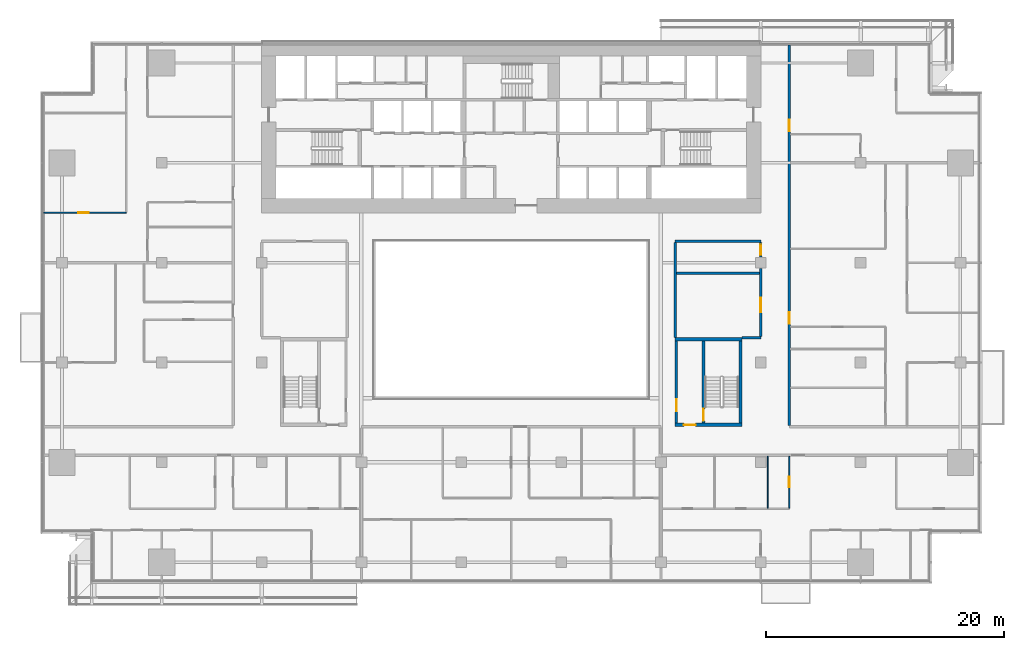
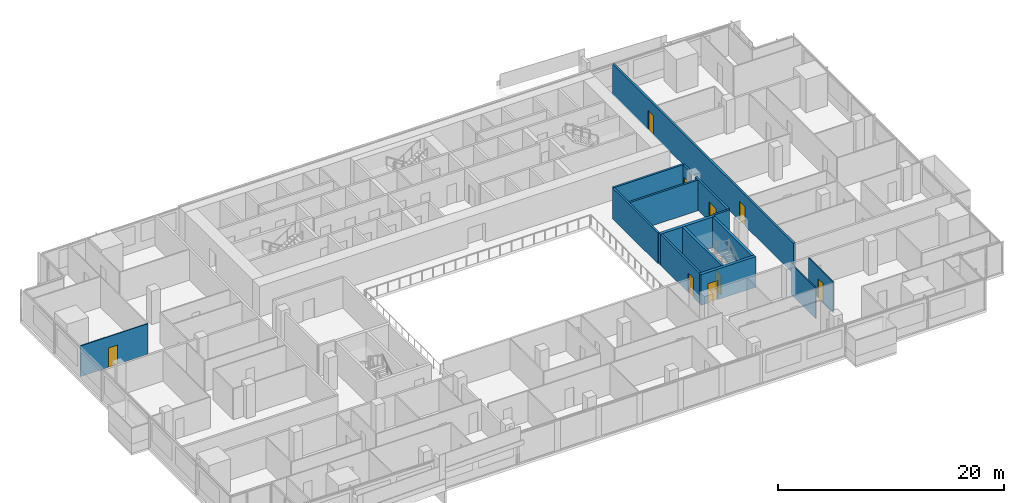
# One storey, part 19 of 29: 15 walls, 9 doors, 9 openings.
"""IFC4 building model written with IfcOpenShell, lengths in metres."""

from ifc_helpers import new_model, si_unit, direction, frame, frame_2d, origin, place, context, subcontext, project, spatial, rectangle, extrude, material, layer, layer_set, type_object, element, fill, save


model = new_model("IFC4")

# Units and contexts
model_context = context("Model", 3, precision=1e-05, world=origin(), true_north=direction((0.0, 1.0)))
body_context = subcontext(model_context, "Body", "Model", "MODEL_VIEW")
ifc_project = project(units=[si_unit("LENGTHUNIT", "METRE"), si_unit("AREAUNIT", "SQUARE_METRE"), si_unit("VOLUMEUNIT", "CUBIC_METRE"), si_unit("PLANEANGLEUNIT", "RADIAN"), si_unit("MASSUNIT", "GRAM", prefix="KILO")], contexts=[model_context])

# Site, building, storey
site_placement = place(None, origin())
site = spatial("IfcSite", under=ifc_project, at=site_placement, CompositionType="ELEMENT")
building_placement = place(site_placement, origin())
building = spatial("IfcBuilding", under=site, at=building_placement, Name="Saffron Gate Tower", CompositionType="ELEMENT")
storey_placement = place(building_placement, frame((0.0, 0.0, 58.800048828125)))
storey = spatial("IfcBuildingStorey", under=building, at=storey_placement, Name="L13", CompositionType="ELEMENT", Elevation=58.800048828125)

# Wall, opening, door
ifc_material_1 = material(Name="Gypsum board partition on steel studs", Category="steel")
ifc_layer_1 = layer(ifc_material_1, 0.199951171875)
ifc_layer_set_1 = layer_set([ifc_layer_1], Name="CW10 Core partition 200")
wall_type_1 = type_object("IfcWallType", Name="CW10 Core partition 200", PredefinedType="PARTITIONING", material=ifc_layer_set_1)
wall_1_placement = place(storey_placement, frame((101.5, 43.5, 0.0), z_axis=(0.0, 0.0, 1.0), x_axis=(0.0, 1.0, 0.0)))
wall_1 = element("IfcWall", 1, at=wall_1_placement, inside=storey, type_object=wall_type_1, Name="Wall CW10-L13-E-2", PredefinedType="PARTITIONING", context=body_context, shape_type="SweptSolid", body=[
    extrude(rectangle(XDim=6.89990234375, YDim=0.199951171875, at=frame_2d((3.449951171875, 0.0))), origin(), (0.0, 0.0, 1.0), 3.320068359375),
])
opening_1_placement = place(wall_1_placement, frame((1.0, 0.0, 0.0)))
opening_1 = element("IfcOpeningElement", 2, at=opening_1_placement, cuts=wall_1, Name="Opening CR-22", PredefinedType="OPENING", context=body_context, shape_type="SweptSolid", body=[
    extrude(rectangle(XDim=1.0, YDim=2.10009765625, at=frame_2d((0.5, 1.050048828125))), frame((0.0, 0.10986328125, 0.0), z_axis=(0.0, -1.0, 0.0), x_axis=(1.0, 0.0, 0.0)), (0.0, 0.0, 1.0), 0.219970703125),
])
ifc_material_2 = material(Name="Steel fire door set", Category="steel")
door_type_1 = type_object("IfcDoorType", Name="CD4 Lobby door 1000x2100 EI 120", OperationType="NOTDEFINED", PredefinedType="DOOR", material=ifc_material_2)
door_1_placement = place(opening_1_placement, origin())
door_1 = element("IfcDoor", 3, at=door_1_placement, inside=storey, type_object=door_type_1, Name="DOOR CR-22", OperationType="SINGLE_SWING_LEFT", OverallHeight=2.10009765625, OverallWidth=1.0, PredefinedType="DOOR", context=body_context, shape_type="SweptSolid", body=[
    extrude(rectangle(XDim=1.0, YDim=2.10009765625, at=frame_2d((0.5, 1.050048828125))), frame((0.0, 0.02490234375, 0.0), z_axis=(0.0, -1.0, 0.0), x_axis=(1.0, 0.0, 0.0)), (0.0, 0.0, 1.0), 0.050048828125),
])
fill(opening_1, door_1)

ifc_material_3 = material(Name="Concrete C70", Category="concrete")
ifc_layer_2 = layer(ifc_material_3, 0.25)
ifc_layer_set_2 = layer_set([ifc_layer_2], Name="CW2 RC core wall 250 C70")
wall_type_2 = type_object("IfcWallType", Name="CW2 RC core wall 250 C70", PredefinedType="SOLIDWALL", material=ifc_layer_set_2)
wall_2_placement = place(storey_placement, frame((103.77490234375, 43.5, 0.0), z_axis=(0.0, 0.0, 1.0), x_axis=(0.0, 1.0, 0.0)))
wall_2 = element("IfcWall", 4, at=wall_2_placement, inside=storey, type_object=wall_type_2, Name="Wall CW2-L13-E-3", PredefinedType="SOLIDWALL", context=body_context, shape_type="SweptSolid", body=[
    extrude(rectangle(XDim=6.89990234375, YDim=0.25, at=frame_2d((3.449951171875, 0.0))), origin(), (0.0, 0.0, 1.0), 3.320068359375),
])
opening_2_placement = place(wall_2_placement, frame((0.199951171875, 0.0, 0.0)))
opening_2 = element("IfcOpeningElement", 5, at=opening_2_placement, cuts=wall_2, Name="Opening CR-23", PredefinedType="OPENING", context=body_context, shape_type="SweptSolid", body=[
    extrude(rectangle(XDim=1.0, YDim=2.10009765625, at=frame_2d((0.5, 1.050048828125))), frame((0.0, 0.135009765625, 0.0), z_axis=(0.0, -1.0, 0.0), x_axis=(1.0, 0.0, 0.0)), (0.0, 0.0, 1.0), 0.27001953125),
])
door_type_2 = type_object("IfcDoorType", Name="CD5 Stair door 1000x2100 EI 120", OperationType="NOTDEFINED", PredefinedType="DOOR", material=ifc_material_2)
door_2_placement = place(opening_2_placement, origin())
door_2 = element("IfcDoor", 6, at=door_2_placement, inside=storey, type_object=door_type_2, Name="DOOR CR-23", OperationType="SINGLE_SWING_RIGHT", OverallHeight=2.10009765625, OverallWidth=1.0, PredefinedType="DOOR", context=body_context, shape_type="SweptSolid", body=[
    extrude(rectangle(XDim=1.0, YDim=2.10009765625, at=frame_2d((0.5, 1.050048828125))), frame((0.0, 0.02490234375, 0.0), z_axis=(0.0, -1.0, 0.0), x_axis=(1.0, 0.0, 0.0)), (0.0, 0.0, 1.0), 0.050048828125),
])
fill(opening_2, door_2)

# Wall
wall_3_placement = place(storey_placement, frame((106.875, 43.5, 0.0), z_axis=(0.0, 0.0, 1.0), x_axis=(0.0, 1.0, 0.0)))
element("IfcWall", 7, at=wall_3_placement, inside=storey, type_object=wall_type_2, Name="Wall CW2-L13-E-4", PredefinedType="SOLIDWALL", context=body_context, shape_type="SweptSolid", body=[
    extrude(rectangle(XDim=6.89990234375, YDim=0.25, at=frame_2d((3.449951171875, 0.0))), origin(), (0.0, 0.0, 1.0), 3.320068359375),
])

# Wall, opening, door
ifc_layer_3 = layer(ifc_material_3, 0.300048828125)
ifc_layer_set_3 = layer_set([ifc_layer_3], Name="CW5 RC core wall 300 C70")
wall_type_3 = type_object("IfcWallType", Name="CW5 RC core wall 300 C70", PredefinedType="SOLIDWALL", material=ifc_layer_set_3)
wall_4_placement = place(storey_placement, frame((101.39990234375, 43.35009765625, 0.0), z_axis=(0.0, 0.0, 1.0), x_axis=(1.0, 0.0, 0.0)))
wall_4 = element("IfcWall", 8, at=wall_4_placement, inside=storey, type_object=wall_type_3, Name="Wall CW5-L13-E-1", PredefinedType="SOLIDWALL", context=body_context, shape_type="SweptSolid", body=[
    extrude(rectangle(XDim=5.60009765625, YDim=0.300048828125, at=frame_2d((2.800048828125, 0.0))), origin(), (0.0, 0.0, 1.0), 3.320068359375),
])
opening_3_placement = place(wall_4_placement, frame((0.72509765625, 0.0, 0.0)))
opening_3 = element("IfcOpeningElement", 9, at=opening_3_placement, cuts=wall_4, Name="Opening CR-21", PredefinedType="OPENING", context=body_context, shape_type="SweptSolid", body=[
    extrude(rectangle(XDim=1.0, YDim=2.10009765625, at=frame_2d((0.5, 1.050048828125))), frame((0.0, 0.16015625, 0.0), z_axis=(0.0, -1.0, 0.0), x_axis=(1.0, 0.0, 0.0)), (0.0, 0.0, 1.0), 0.320068359375),
])
door_3_placement = place(opening_3_placement, origin())
door_3 = element("IfcDoor", 10, at=door_3_placement, inside=storey, type_object=door_type_1, Name="DOOR CR-21", OperationType="SINGLE_SWING_RIGHT", OverallHeight=2.10009765625, OverallWidth=1.0, PredefinedType="DOOR", context=body_context, shape_type="SweptSolid", body=[
    extrude(rectangle(XDim=1.0, YDim=2.10009765625, at=frame_2d((0.5, 1.050048828125))), frame((0.0, 0.02490234375, 0.0), z_axis=(0.0, -1.0, 0.0), x_axis=(1.0, 0.0, 0.0)), (0.0, 0.0, 1.0), 0.050048828125),
])
fill(opening_3, door_3)

# Wall
wall_5_placement = place(storey_placement, frame((101.39990234375, 50.550048828125, 0.0), z_axis=(0.0, 0.0, 1.0), x_axis=(1.0, 0.0, 0.0)))
element("IfcWall", 11, at=wall_5_placement, inside=storey, type_object=wall_type_3, Name="Wall CW5-L13-E-5", PredefinedType="SOLIDWALL", context=body_context, shape_type="SweptSolid", body=[
    extrude(rectangle(XDim=5.60009765625, YDim=0.300048828125, at=frame_2d((2.800048828125, 0.0))), origin(), (0.0, 0.0, 1.0), 3.320068359375),
])

# Wall, opening, door
ifc_material_4 = material(Name="Plasterboard on steel studs", Category="steel")
ifc_layer_4 = layer(ifc_material_4, 0.10009765625)
ifc_layer_set_4 = layer_set([ifc_layer_4], Name="PW1 Partition 100")
wall_type_4 = type_object("IfcWallType", Name="PW1 Partition 100", PredefinedType="PARTITIONING", material=ifc_layer_set_4)
wall_6_placement = place(storey_placement, frame((48.280029296875, 61.199951171875, 0.0), z_axis=(0.0, 0.0, 1.0), x_axis=(1.0, 0.0, 0.0)))
wall_6 = element("IfcWall", 12, at=wall_6_placement, inside=storey, type_object=wall_type_4, Name="Partition A3-42", PredefinedType="PARTITIONING", context=body_context, shape_type="SweptSolid", body=[
    extrude(rectangle(XDim=6.919921875, YDim=0.10009765625, at=frame_2d((3.4599609375, 0.0))), origin(), (0.0, 0.0, 1.0), 3.320068359375),
])
opening_4_placement = place(wall_6_placement, frame((2.8701171875, 0.0, 0.0)))
opening_4 = element("IfcOpeningElement", 13, at=opening_4_placement, cuts=wall_6, Name="Opening A3-27", PredefinedType="OPENING", context=body_context, shape_type="SweptSolid", body=[
    extrude(rectangle(XDim=0.89990234375, YDim=2.10009765625, at=frame_2d((0.449951171875, 1.050048828125))), frame((0.0, 0.06005859375, 0.0), z_axis=(0.0, -1.0, 0.0), x_axis=(1.0, 0.0, 0.0)), (0.0, 0.0, 1.0), 0.1201171875),
])
ifc_material_5 = material(Name="Timber door set", Category="wood")
door_type_3 = type_object("IfcDoorType", Name="RD1 Room door 900x2100", OperationType="NOTDEFINED", PredefinedType="DOOR", material=ifc_material_5)
door_4_placement = place(opening_4_placement, origin())
door_4 = element("IfcDoor", 14, at=door_4_placement, inside=storey, type_object=door_type_3, Name="Door A3-27", OperationType="SINGLE_SWING_LEFT", OverallHeight=2.10009765625, OverallWidth=0.89990234375, PredefinedType="DOOR", context=body_context, shape_type="SweptSolid", body=[
    extrude(rectangle(XDim=0.89990234375, YDim=2.10009765625, at=frame_2d((0.449951171875, 1.050048828125))), frame((0.0, 0.02490234375, 0.0), z_axis=(0.0, -1.0, 0.0), x_axis=(1.0, 0.0, 0.0)), (0.0, 0.0, 1.0), 0.050048828125),
])
fill(opening_4, door_4)

# Wall
wall_7_placement = place(storey_placement, frame((109.199951171875, 40.699951171875, 0.0), z_axis=(0.0, 0.0, 1.0), x_axis=(0.0, -1.0, 0.0)))
element("IfcWall", 15, at=wall_7_placement, inside=storey, type_object=wall_type_4, Name="Partition A3-91", PredefinedType="PARTITIONING", context=body_context, shape_type="SweptSolid", body=[
    extrude(rectangle(XDim=4.349853515625, YDim=0.10009765625, at=frame_2d((2.1748046875, 0.0))), origin(), (0.0, 0.0, 1.0), 3.320068359375),
])

# Wall, opening, door
wall_8_placement = place(storey_placement, frame((111.0, 36.35009765625, 0.0), z_axis=(0.0, 0.0, 1.0), x_axis=(0.0, 1.0, 0.0)))
wall_8 = element("IfcWall", 16, at=wall_8_placement, inside=storey, type_object=wall_type_4, Name="Partition A3-93", PredefinedType="PARTITIONING", context=body_context, shape_type="SweptSolid", body=[
    extrude(rectangle(XDim=4.349853515625, YDim=0.10009765625, at=frame_2d((2.1748046875, 0.0))), origin(), (0.0, 0.0, 1.0), 3.320068359375),
])
opening_5_placement = place(wall_8_placement, frame((1.75, 0.0, 0.0)))
opening_5 = element("IfcOpeningElement", 17, at=opening_5_placement, cuts=wall_8, Name="Opening A3-24", PredefinedType="OPENING", context=body_context, shape_type="SweptSolid", body=[
    extrude(rectangle(XDim=0.89990234375, YDim=2.10009765625, at=frame_2d((0.449951171875, 1.050048828125))), frame((0.0, 0.06005859375, 0.0), z_axis=(0.0, -1.0, 0.0), x_axis=(1.0, 0.0, 0.0)), (0.0, 0.0, 1.0), 0.1201171875),
])
door_5_placement = place(opening_5_placement, origin())
door_5 = element("IfcDoor", 18, at=door_5_placement, inside=storey, type_object=door_type_3, Name="Door A3-24", OperationType="SINGLE_SWING_RIGHT", OverallHeight=2.10009765625, OverallWidth=0.89990234375, PredefinedType="DOOR", context=body_context, shape_type="SweptSolid", body=[
    extrude(rectangle(XDim=0.89990234375, YDim=2.10009765625, at=frame_2d((0.449951171875, 1.050048828125))), frame((0.0, 0.02490234375, 0.0), z_axis=(0.0, -1.0, 0.0), x_axis=(1.0, 0.0, 0.0)), (0.0, 0.0, 1.0), 0.050048828125),
])
fill(opening_5, door_5)

# Walls
ifc_material_6 = material(Name="Clay brick masonry, rendered", Category="masonry")
ifc_layer_5 = layer(ifc_material_6, 0.199951171875)
ifc_layer_set_5 = layer_set([ifc_layer_5], Name="PW3 Corridor wall 200")
wall_type_5 = type_object("IfcWallType", Name="PW3 Corridor wall 200", PredefinedType="PARTITIONING", material=ifc_layer_set_5)
wall_9_placement = place(storey_placement, frame((107.0, 50.699951171875, 0.0), z_axis=(0.0, 0.0, 1.0), x_axis=(1.0, 0.0, 0.0)))
element("IfcWall", 19, at=wall_9_placement, inside=storey, type_object=wall_type_5, Name="Wall A3-27", PredefinedType="PARTITIONING", context=body_context, shape_type="SweptSolid", body=[
    extrude(rectangle(XDim=1.60009765625, YDim=0.199951171875, at=frame_2d((0.800048828125, 0.0))), origin(), (0.0, 0.0, 1.0), 3.320068359375),
])
wall_10_placement = place(storey_placement, frame((101.39990234375, 58.800048828125, 0.0), z_axis=(0.0, 0.0, 1.0), x_axis=(1.0, 0.0, 0.0)))
element("IfcWall", 20, at=wall_10_placement, inside=storey, type_object=wall_type_5, Name="Wall A3-40", PredefinedType="PARTITIONING", context=body_context, shape_type="SweptSolid", body=[
    extrude(rectangle(XDim=7.2001953125, YDim=0.199951171875, at=frame_2d((3.60009765625, 0.0))), origin(), (0.0, 0.0, 1.0), 3.320068359375),
])
wall_11_placement = place(storey_placement, frame((101.39990234375, 58.699951171875, 0.0), z_axis=(0.0, 0.0, 1.0), x_axis=(0.0, -1.0, 0.0)))
element("IfcWall", 21, at=wall_11_placement, inside=storey, type_object=wall_type_5, Name="Wall A3-85", PredefinedType="PARTITIONING", context=body_context, shape_type="SweptSolid", body=[
    extrude(rectangle(XDim=8.0, YDim=0.199951171875, at=frame_2d((4.0, 0.0))), origin(), (0.0, 0.0, 1.0), 3.320068359375),
])

# Wall, opening, door
wall_12_placement = place(storey_placement, frame((108.60009765625, 50.800048828125, 0.0), z_axis=(0.0, 0.0, 1.0), x_axis=(0.0, 1.0, 0.0)))
wall_12 = element("IfcWall", 22, at=wall_12_placement, inside=storey, type_object=wall_type_5, Name="Wall A3-87", PredefinedType="PARTITIONING", context=body_context, shape_type="SweptSolid", body=[
    extrude(rectangle(XDim=5.72998046875, YDim=0.199951171875, at=frame_2d((2.864990234375, 0.0))), origin(), (0.0, 0.0, 1.0), 3.320068359375),
])
opening_6_placement = place(wall_12_placement, frame((2.050048828125, 0.0, 0.0)))
opening_6 = element("IfcOpeningElement", 23, at=opening_6_placement, cuts=wall_12, Name="Opening A3-49", PredefinedType="OPENING", context=body_context, shape_type="SweptSolid", body=[
    extrude(rectangle(XDim=1.199951171875, YDim=2.10009765625, at=frame_2d((0.60009765625, 1.050048828125))), frame((0.0, 0.10986328125, 0.0), z_axis=(0.0, -1.0, 0.0), x_axis=(1.0, 0.0, 0.0)), (0.0, 0.0, 1.0), 0.219970703125),
])
door_type_4 = type_object("IfcDoorType", Name="HD1 Hall door 1200x2100", OperationType="NOTDEFINED", PredefinedType="DOOR", material=ifc_material_5)
door_6_placement = place(opening_6_placement, origin())
door_6 = element("IfcDoor", 24, at=door_6_placement, inside=storey, type_object=door_type_4, Name="Door A3-49", OperationType="SINGLE_SWING_RIGHT", OverallHeight=2.10009765625, OverallWidth=1.199951171875, PredefinedType="DOOR", context=body_context, shape_type="SweptSolid", body=[
    extrude(rectangle(XDim=1.199951171875, YDim=2.10009765625, at=frame_2d((0.60009765625, 1.050048828125))), frame((0.0, 0.02490234375, 0.0), z_axis=(0.0, -1.0, 0.0), x_axis=(1.0, 0.0, 0.0)), (0.0, 0.0, 1.0), 0.050048828125),
])
fill(opening_6, door_6)

wall_13_placement = place(storey_placement, frame((108.60009765625, 57.469970703125, 0.0), z_axis=(0.0, 0.0, 1.0), x_axis=(0.0, 1.0, 0.0)))
wall_13 = element("IfcWall", 25, at=wall_13_placement, inside=storey, type_object=wall_type_5, Name="Wall A3-88", PredefinedType="PARTITIONING", context=body_context, shape_type="SweptSolid", body=[
    extrude(rectangle(XDim=1.22998046875, YDim=0.199951171875, at=frame_2d((0.614990234375, 0.0))), origin(), (0.0, 0.0, 1.0), 3.320068359375),
])
opening_7_placement = place(wall_13_placement, frame((0.1650390625, 0.0, 0.0)))
opening_7 = element("IfcOpeningElement", 26, at=opening_7_placement, cuts=wall_13, Name="Opening A3-36", PredefinedType="OPENING", context=body_context, shape_type="SweptSolid", body=[
    extrude(rectangle(XDim=0.89990234375, YDim=2.10009765625, at=frame_2d((0.449951171875, 1.050048828125))), frame((0.0, 0.10986328125, 0.0), z_axis=(0.0, -1.0, 0.0), x_axis=(1.0, 0.0, 0.0)), (0.0, 0.0, 1.0), 0.219970703125),
])
door_7_placement = place(opening_7_placement, origin())
door_7 = element("IfcDoor", 27, at=door_7_placement, inside=storey, type_object=door_type_3, Name="Door A3-36", OperationType="SINGLE_SWING_RIGHT", OverallHeight=2.10009765625, OverallWidth=0.89990234375, PredefinedType="DOOR", context=body_context, shape_type="SweptSolid", body=[
    extrude(rectangle(XDim=0.89990234375, YDim=2.10009765625, at=frame_2d((0.449951171875, 1.050048828125))), frame((0.0, 0.02490234375, 0.0), z_axis=(0.0, -1.0, 0.0), x_axis=(1.0, 0.0, 0.0)), (0.0, 0.0, 1.0), 0.050048828125),
])
fill(opening_7, door_7)

# Wall, openings, doors
wall_14_placement = place(storey_placement, frame((111.0, 75.320068359375, 0.0), z_axis=(0.0, 0.0, 1.0), x_axis=(0.0, -1.0, 0.0)))
wall_14 = element("IfcWall", 28, at=wall_14_placement, inside=storey, type_object=wall_type_5, Name="Wall A3-92", PredefinedType="PARTITIONING", context=body_context, shape_type="SweptSolid", body=[
    extrude(rectangle(XDim=32.02001953125, YDim=0.199951171875, at=frame_2d((16.010009765625, 0.0))), origin(), (0.0, 0.0, 1.0), 3.320068359375),
])
opening_8_placement = place(wall_14_placement, frame((6.27001953125, 0.0, 0.0)))
opening_8 = element("IfcOpeningElement", 29, at=opening_8_placement, cuts=wall_14, Name="Opening A3-7", PredefinedType="OPENING", context=body_context, shape_type="SweptSolid", body=[
    extrude(rectangle(XDim=1.0, YDim=2.10009765625, at=frame_2d((0.5, 1.050048828125))), frame((0.0, 0.10986328125, 0.0), z_axis=(0.0, -1.0, 0.0), x_axis=(1.0, 0.0, 0.0)), (0.0, 0.0, 1.0), 0.219970703125),
])
opening_9_placement = place(wall_14_placement, frame((22.469970703125, 0.0, 0.0)))
opening_9 = element("IfcOpeningElement", 30, at=opening_9_placement, cuts=wall_14, Name="Opening A3-6", PredefinedType="OPENING", context=body_context, shape_type="SweptSolid", body=[
    extrude(rectangle(XDim=1.0, YDim=2.10009765625, at=frame_2d((0.5, 1.050048828125))), frame((0.0, 0.10986328125, 0.0), z_axis=(0.0, -1.0, 0.0), x_axis=(1.0, 0.0, 0.0)), (0.0, 0.0, 1.0), 0.219970703125),
])
ifc_material_7 = material(Name="Timber fire door set", Category="wood")
door_type_5 = type_object("IfcDoorType", Name="FD1 Flat entry door 1000x2100", OperationType="NOTDEFINED", PredefinedType="DOOR", material=ifc_material_7)
door_8_placement = place(opening_8_placement, origin())
door_8 = element("IfcDoor", 31, at=door_8_placement, inside=storey, type_object=door_type_5, Name="Door A3-7", OperationType="SINGLE_SWING_RIGHT", OverallHeight=2.10009765625, OverallWidth=1.0, PredefinedType="DOOR", context=body_context, shape_type="SweptSolid", body=[
    extrude(rectangle(XDim=1.0, YDim=2.10009765625, at=frame_2d((0.5, 1.050048828125))), frame((0.0, 0.02490234375, 0.0), z_axis=(0.0, -1.0, 0.0), x_axis=(1.0, 0.0, 0.0)), (0.0, 0.0, 1.0), 0.050048828125),
])
fill(opening_8, door_8)
door_9_placement = place(opening_9_placement, origin())
door_9 = element("IfcDoor", 32, at=door_9_placement, inside=storey, type_object=door_type_5, Name="Door A3-6", OperationType="SINGLE_SWING_LEFT", OverallHeight=2.10009765625, OverallWidth=1.0, PredefinedType="DOOR", context=body_context, shape_type="SweptSolid", body=[
    extrude(rectangle(XDim=1.0, YDim=2.10009765625, at=frame_2d((0.5, 1.050048828125))), frame((0.0, 0.02490234375, 0.0), z_axis=(0.0, -1.0, 0.0), x_axis=(1.0, 0.0, 0.0)), (0.0, 0.0, 1.0), 0.050048828125),
])
fill(opening_9, door_9)

# Wall
ifc_layer_6 = layer(ifc_material_6, 0.199951171875)
ifc_layer_set_6 = layer_set([ifc_layer_6], Name="PW5 Room wall 200")
wall_type_6 = type_object("IfcWallType", Name="PW5 Room wall 200", PredefinedType="PARTITIONING", material=ifc_layer_set_6)
wall_15_placement = place(storey_placement, frame((101.5, 56.10009765625, 0.0), z_axis=(0.0, 0.0, 1.0), x_axis=(1.0, 0.0, 0.0)))
element("IfcWall", 33, at=wall_15_placement, inside=storey, type_object=wall_type_6, Name="Wall A3-32", PredefinedType="PARTITIONING", context=body_context, shape_type="SweptSolid", body=[
    extrude(rectangle(XDim=7.0, YDim=0.199951171875, at=frame_2d((3.5, 0.0))), origin(), (0.0, 0.0, 1.0), 3.320068359375),
])

save(model, "model.ifc")
